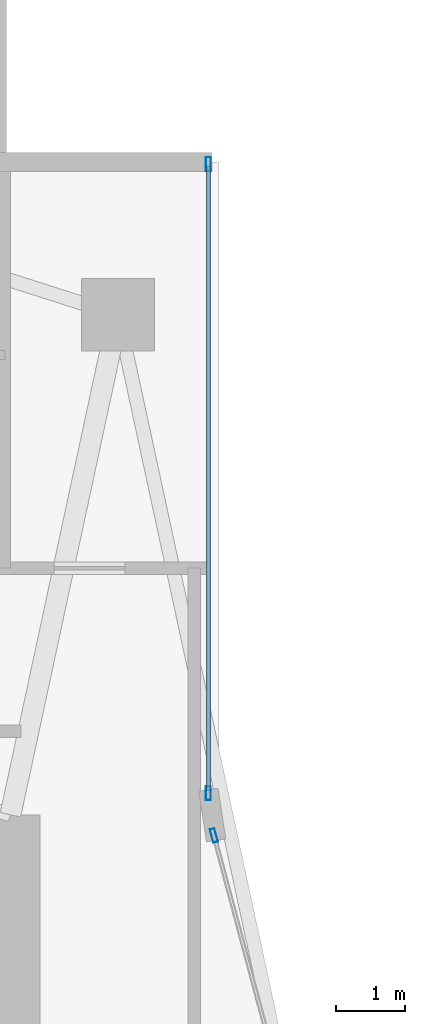
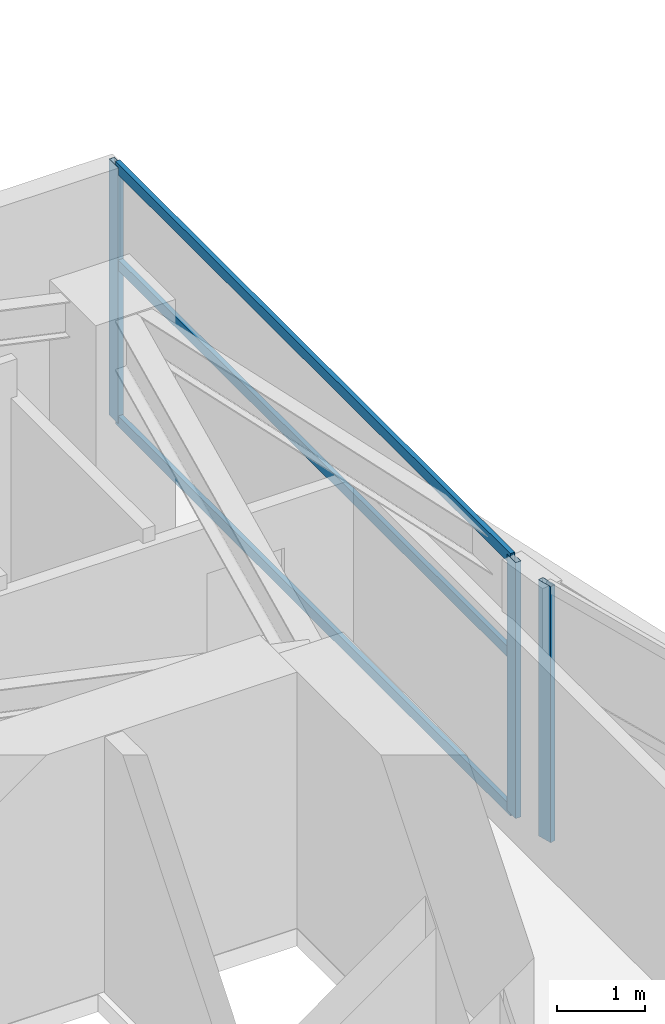
# One storey, part 18 of 28: 6 members, 2 elements without a shape of their own.
"""IFC4 building model written with IfcOpenShell, lengths in metres."""

from ifc_helpers import new_model, si_unit, direction, frame, origin, origin_2d, place, context, subcontext, project, spatial, hollow_rectangle, extrude, material, layer, layer_set, material_profile, profile_set, type_object, element, aggregate, save


model = new_model("IFC4")

# Units and contexts
model_context = context("Model", 3, precision=1e-05, world=origin(), true_north=direction((0.0, 1.0)))
body_context = subcontext(model_context, "Body", "Model", "MODEL_VIEW")
ifc_project = project(units=[si_unit("LENGTHUNIT", "METRE"), si_unit("AREAUNIT", "SQUARE_METRE"), si_unit("VOLUMEUNIT", "CUBIC_METRE"), si_unit("PLANEANGLEUNIT", "RADIAN"), si_unit("MASSUNIT", "GRAM", prefix="KILO")], contexts=[model_context])

# Site, building, storey
site_placement = place(None, origin())
site = spatial("IfcSite", under=ifc_project, at=site_placement, CompositionType="ELEMENT")
building_placement = place(site_placement, origin())
building = spatial("IfcBuilding", under=site, at=building_placement, Name="Calvorn Quay Hotel", CompositionType="ELEMENT")
storey_placement = place(building_placement, frame((0.0, 0.0, 101.199951171875)))
storey = spatial("IfcBuildingStorey", under=building, at=storey_placement, Name="L24", CompositionType="ELEMENT", Elevation=101.199951171875)

# Curtain wall, member
ifc_material_1 = material(Name="Pale Anodised Aluminium and Low-E Glass", Category="aluminium")
ifc_layer = layer(ifc_material_1, 0.219970703125)
ifc_layer_set = layer_set([ifc_layer], Name="CW-SYS-Z2")
curtain_wall_type = type_object("IfcCurtainWallType", Name="CW-SYS-Z2", PredefinedType="NOTDEFINED", material=ifc_layer_set)
curtain_wall_1_placement = place(storey_placement, origin())
curtain_wall_1 = element("IfcCurtainWall", 1, at=curtain_wall_1_placement, inside=storey, type_object=curtain_wall_type, Name="Inner Court Curtain Wall L24-IC1", PredefinedType="NOTDEFINED")
ifc_material_2 = material(Name="Pale Anodised Aluminium 6063-T6", Category="aluminium")
ifc_material_profile_1 = material_profile(ifc_material_2, hollow_rectangle(XDim=0.070068359375, YDim=0.199951171875, WallThickness=0.00390625, at=origin_2d()), Name="ALU-M200x70x4")
ifc_profile_set_1 = profile_set([ifc_material_profile_1], Name="Pale Anodised Aluminium 6063-T6")
member_type_1 = type_object("IfcMemberType", Name="CW-SYS-Z2-MUL", PredefinedType="MULLION", material=ifc_profile_set_1)
member_1_placement = place(storey_placement, frame((17.9296875, 38.10107421875, 0.0), z_axis=(0.0, 0.0, 1.0), x_axis=(-0.96593652056, -0.25877913024, 0.0)))
member_1 = element("IfcMember", 2, at=member_1_placement, type_object=member_type_1, Name="CW-L24-IC1 mullion 2", PredefinedType="MULLION", context=body_context, shape_type="SweptSolid", body=[
    extrude(hollow_rectangle(XDim=0.070068359375, YDim=0.199951171875, WallThickness=0.00390625, at=origin_2d()), origin(), (0.0, 0.0, 1.0), 3.56005859375),
])
aggregate(curtain_wall_1, [member_1])

# Curtain wall, members
curtain_wall_2_placement = place(storey_placement, origin())
curtain_wall_2 = element("IfcCurtainWall", 3, at=curtain_wall_2_placement, inside=storey, type_object=curtain_wall_type, Name="Inner Court Curtain Wall L24-IC2", PredefinedType="NOTDEFINED")
member_2_placement = place(storey_placement, frame((17.85009765625, 38.7099609375, 0.0), z_axis=(0.0, 0.0, 1.0), x_axis=(-1.0, 0.0, 0.0)))
member_2 = element("IfcMember", 4, at=member_2_placement, type_object=member_type_1, Name="CW-L24-IC2 mullion 1", PredefinedType="MULLION", context=body_context, shape_type="SweptSolid", body=[
    extrude(hollow_rectangle(XDim=0.070068359375, YDim=0.199951171875, WallThickness=0.00390625, at=origin_2d()), origin(), (0.0, 0.0, 1.0), 3.56005859375),
])
member_3_placement = place(storey_placement, frame((17.85009765625, 47.77001953125, 0.0), z_axis=(0.0, 0.0, 1.0), x_axis=(-1.0, 0.0, 0.0)))
member_3 = element("IfcMember", 5, at=member_3_placement, type_object=member_type_1, Name="CW-L24-IC2 mullion 2", PredefinedType="MULLION", context=body_context, shape_type="SweptSolid", body=[
    extrude(hollow_rectangle(XDim=0.070068359375, YDim=0.199951171875, WallThickness=0.00390625, at=origin_2d()), origin(), (0.0, 0.0, 1.0), 3.56005859375),
])
ifc_material_3 = material(Name="Pale Anodised Aluminium 6063-T6", Category="aluminium")
ifc_material_profile_2 = material_profile(ifc_material_3, hollow_rectangle(XDim=0.06005859375, YDim=0.14990234375, WallThickness=0.00341796875, at=origin_2d()), Name="ALU-T150x60x3.5")
ifc_profile_set_2 = profile_set([ifc_material_profile_2], Name="Pale Anodised Aluminium 6063-T6")
member_type_2 = type_object("IfcMemberType", Name="CW-SYS-Z2-TRN", PredefinedType="USERDEFINED", material=ifc_profile_set_2)
member_4_placement = place(storey_placement, frame((17.85009765625, 38.739990234375, 0.030029296875), z_axis=(0.0, 1.0, 0.0), x_axis=(-1.0, 0.0, 0.0)))
member_4 = element("IfcMember", 6, at=member_4_placement, type_object=member_type_2, Name="CW-L24-IC2 transom 1.1", ObjectType="TRANSOM", PredefinedType="USERDEFINED", context=body_context, shape_type="SweptSolid", body=[
    extrude(hollow_rectangle(XDim=0.06005859375, YDim=0.14990234375, WallThickness=0.00341796875, at=origin_2d()), origin(), (0.0, 0.0, 1.0), 9.0),
])
member_5_placement = place(storey_placement, frame((17.85009765625, 38.739990234375, 2.199951171875), z_axis=(0.0, 1.0, 0.0), x_axis=(-1.0, 0.0, 0.0)))
member_5 = element("IfcMember", 7, at=member_5_placement, type_object=member_type_2, Name="CW-L24-IC2 transom 1.2", ObjectType="TRANSOM", PredefinedType="USERDEFINED", context=body_context, shape_type="SweptSolid", body=[
    extrude(hollow_rectangle(XDim=0.06005859375, YDim=0.14990234375, WallThickness=0.00341796875, at=origin_2d()), origin(), (0.0, 0.0, 1.0), 9.0),
])
member_6_placement = place(storey_placement, frame((17.85009765625, 38.739990234375, 3.530029296875), z_axis=(0.0, 1.0, 0.0), x_axis=(-1.0, 0.0, 0.0)))
member_6 = element("IfcMember", 8, at=member_6_placement, type_object=member_type_2, Name="CW-L24-IC2 transom 1.3", ObjectType="TRANSOM", PredefinedType="USERDEFINED", context=body_context, shape_type="SweptSolid", body=[
    extrude(hollow_rectangle(XDim=0.06005859375, YDim=0.14990234375, WallThickness=0.00341796875, at=origin_2d()), origin(), (0.0, 0.0, 1.0), 9.0),
])
aggregate(curtain_wall_2, [member_2, member_3, member_4, member_5, member_6])

save(model, "model.ifc")
